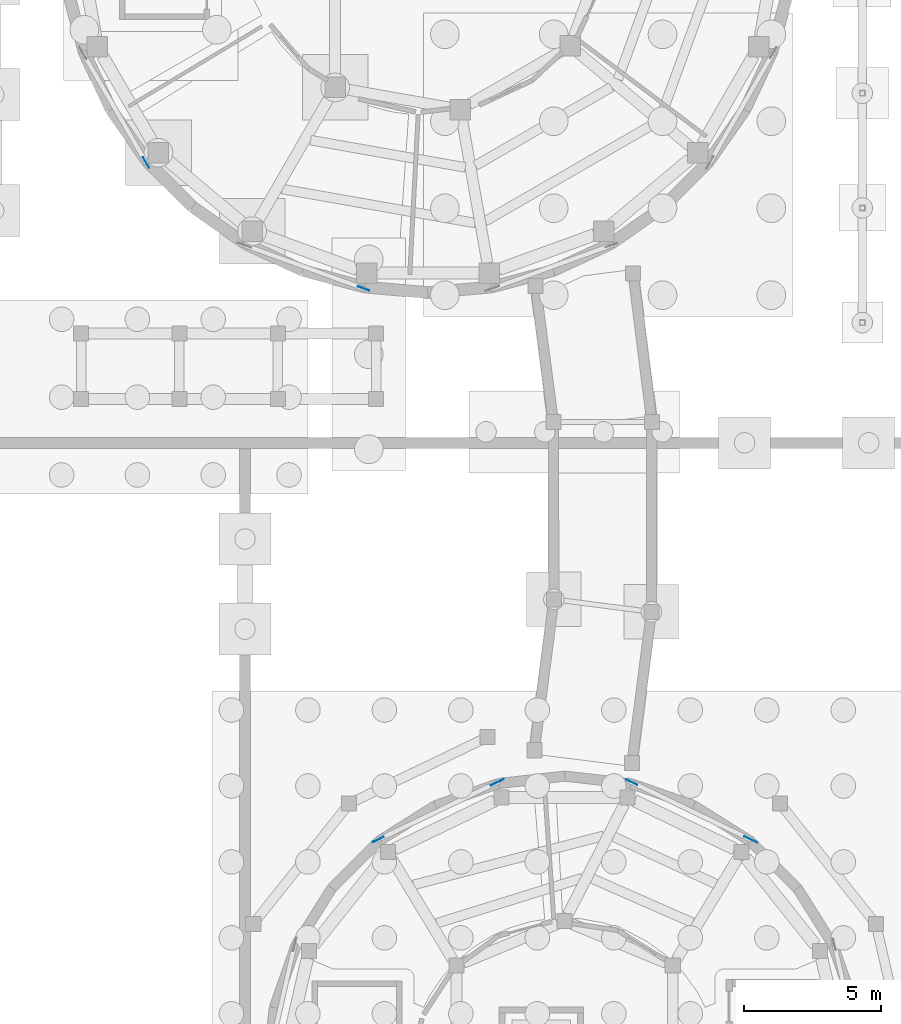
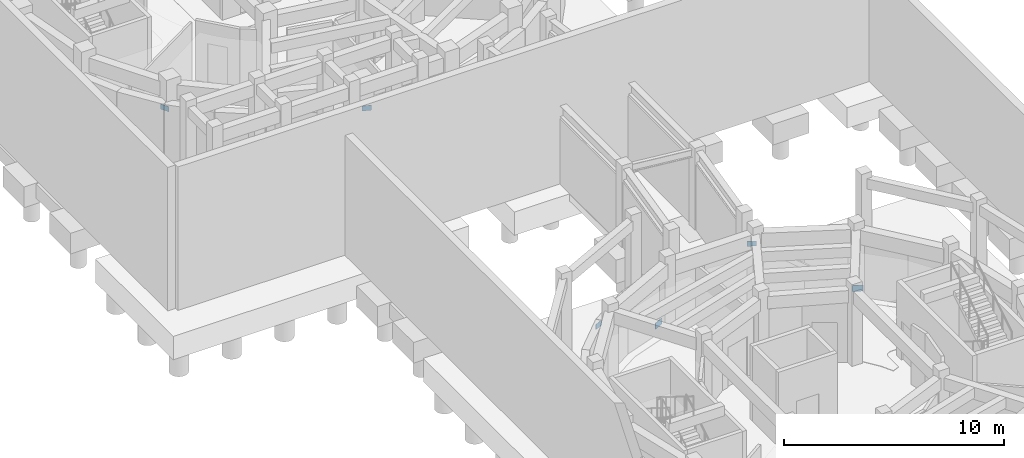
# One storey, part 29 of 57: 6 plates.
"""IFC4 building model written with IfcOpenShell, lengths in metres."""

from ifc_helpers import new_model, si_unit, direction, frame, origin, origin_2d, place, context, subcontext, project, spatial, rectangle, extrude, material, layer, layer_set, type_object, element, save


model = new_model("IFC4")

# Units and contexts
model_context = context("Model", 3, precision=1e-05, world=origin(), true_north=direction((0.0, 1.0)))
body_context = subcontext(model_context, "Body", "Model", "MODEL_VIEW")
ifc_project = project(units=[si_unit("LENGTHUNIT", "METRE"), si_unit("AREAUNIT", "SQUARE_METRE"), si_unit("VOLUMEUNIT", "CUBIC_METRE"), si_unit("PLANEANGLEUNIT", "RADIAN"), si_unit("MASSUNIT", "GRAM", prefix="KILO")], contexts=[model_context])

# Site, building, storey
site_placement = place(None, origin())
site = spatial("IfcSite", under=ifc_project, at=site_placement, CompositionType="ELEMENT")
building_placement = place(site_placement, origin())
building = spatial("IfcBuilding", under=site, at=building_placement, Name="Aldenvaro Health Centre", CompositionType="ELEMENT")
storey_placement = place(building_placement, frame((0.0, 0.0, -4.550048828125)))
storey = spatial("IfcBuildingStorey", under=building, at=storey_placement, Name="B1", CompositionType="ELEMENT", Elevation=-4.550048828125)

# Plates
ifc_material = material(Name="Steel ASTM A572 Grade 50", Category="steel")
ifc_layer_1 = layer(ifc_material, 0.01806640625, Name="Steel ASTM A572 Grade 50", Category="steel")
ifc_layer_set_1 = layer_set([ifc_layer_1], Name="Steel ASTM A572 Grade 50")
plate_type_1 = type_object("IfcPlateType", Name="PLT-GUS-02", PredefinedType="SHEET", material=ifc_layer_set_1)
for number, where, z_axis, x_axis, name in (
    (1, (30.31494140625, 66.077880859375, 0.1298828125), (0.0, 0.0, 1.0), (-0.901024033145, 0.433769168677, 0.0), "D3 B1 brace end gusset 3.B"),
    (2, (21.04296875, 68.176025390625, 0.1298828125), (0.0, 0.0, 1.0), (-0.901024033145, -0.433769168677, 0.0), "D3 B1 brace end gusset 5.B"),
):
    element("IfcPlate", number, at=place(storey_placement, frame(where, z_axis=z_axis, x_axis=x_axis)), inside=storey, type_object=plate_type_1, Name=name, PredefinedType="SHEET", context=body_context, shape_type="SweptSolid", body=[
        extrude(rectangle(XDim=0.52001953125, YDim=0.01806640625, at=origin_2d()), origin(), (0.0, 0.0, 1.0), 0.340087890625),
    ])
ifc_layer_2 = layer(ifc_material, 0.01611328125, Name="Steel ASTM A572 Grade 50", Category="steel")
ifc_layer_set_2 = layer_set([ifc_layer_2], Name="Steel ASTM A572 Grade 50")
plate_type_2 = type_object("IfcPlateType", Name="PLT-GUS-03", PredefinedType="SHEET", material=ifc_layer_set_2)
for number, where, z_axis, x_axis, name in (
    (3, (25.95703125, 68.176025390625, 2.89501953125), (0.0, 0.0, 1.0), (-0.901024033145, 0.433769168677, 0.0), "D3 B1 brace end gusset 3.T"),
    (4, (16.68505859375, 66.077880859375, 2.89501953125), (0.0, 0.0, 1.0), (-0.901024033145, -0.433769168677, 0.0), "D3 B1 brace end gusset 5.T"),
    (5, (8.178955078125, 90.864990234375, 2.908203125), (0.0, 0.0, 1.0), (0.499924423123, -0.866069033718, 0.0), "D4 B1 brace end gusset 11.T"),
    (6, (16.14404296875, 86.2509765625, 2.908203125), (0.0, 0.0, 1.0), (0.93969859002, -0.342003742543, 0.0), "D4 B1 brace end gusset 13.T"),
):
    element("IfcPlate", number, at=place(storey_placement, frame(where, z_axis=z_axis, x_axis=x_axis)), inside=storey, type_object=plate_type_2, Name=name, PredefinedType="SHEET", context=body_context, shape_type="SweptSolid", body=[
        extrude(rectangle(XDim=0.43994140625, YDim=0.01611328125, at=origin_2d()), origin(), (0.0, 0.0, 1.0), 0.280029296875),
    ])

save(model, "model.ifc")
